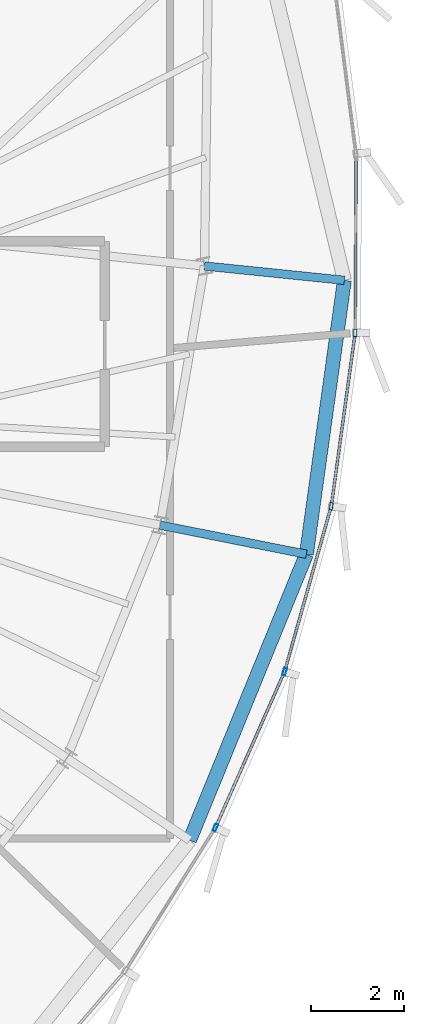
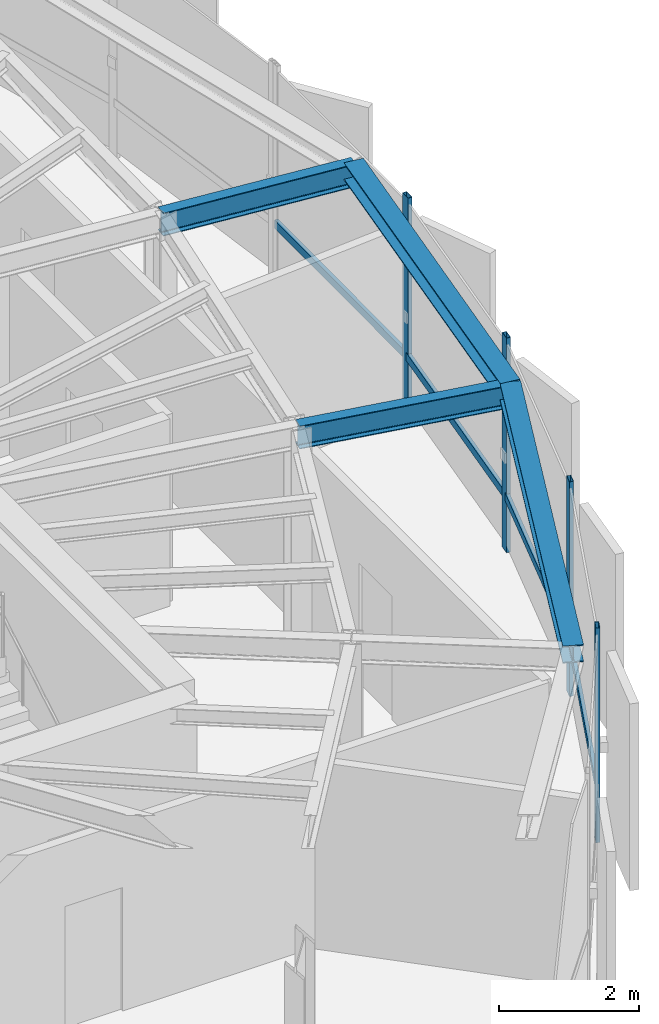
# One storey, part 12 of 26: 8 members, 4 beams, 1 element without a shape of its own.
"""IFC4 building model written with IfcOpenShell, lengths in metres."""

from ifc_helpers import new_model, si_unit, direction, frame, origin, origin_2d, place, context, subcontext, project, spatial, hollow_rectangle, i_section, extrude, source, transform, mapped, material, layer, layer_set, material_profile, profile_set, type_object, element, aggregate, save


model = new_model("IFC4")

# Units and contexts
model_context = context("Model", 3, precision=1e-05, world=origin(), true_north=direction((0.0, 1.0)))
body_context = subcontext(model_context, "Body", "Model", "MODEL_VIEW")
ifc_project = project(units=[si_unit("LENGTHUNIT", "METRE"), si_unit("AREAUNIT", "SQUARE_METRE"), si_unit("VOLUMEUNIT", "CUBIC_METRE"), si_unit("PLANEANGLEUNIT", "RADIAN"), si_unit("MASSUNIT", "GRAM", prefix="KILO"), si_unit("THERMODYNAMICTEMPERATUREUNIT", "KELVIN")], contexts=[model_context])

# Site, building, storey
site_placement = place(None, origin())
site = spatial("IfcSite", under=ifc_project, at=site_placement, CompositionType="ELEMENT")
building_placement = place(site_placement, origin())
building = spatial("IfcBuilding", under=site, at=building_placement, Name="Kethvar Cultural Tower", CompositionType="ELEMENT")
storey_placement = place(building_placement, frame((0.0, 0.0, 316.300048828125)))
storey = spatial("IfcBuildingStorey", under=building, at=storey_placement, Name="L84", CompositionType="ELEMENT", Elevation=316.300048828125)

# Beams
ifc_material_1 = material(Name="Steel S355J2", Category="steel")
ifc_material_profile_1 = material_profile(ifc_material_1, i_section(OverallWidth=0.179931640625, OverallDepth=0.39990234375, WebThickness=0.008544921875, FlangeThickness=0.013427734375, FilletRadius=0.02099609375, at=origin_2d()), Name="Steel S355J2 — IPE400")
ifc_profile_set_1 = profile_set([ifc_material_profile_1], Name="Steel S355J2 — IPE400")
beam_type_1 = type_object("IfcBeamType", Name="BM-IPE400", PredefinedType="BEAM", material=ifc_profile_set_1)
shared_shape_1 = source(origin(), body_context, "Body", "SweptSolid", [
    extrude(i_section(OverallWidth=0.179931640625, OverallDepth=0.39990234375, WebThickness=0.008544921875, FlangeThickness=0.013427734375, FilletRadius=0.02099609375, at=origin_2d()), origin(), (0.0, 0.0, 1.0), 3.199951171875),
])
beam_1_placement = place(storey_placement, frame((60.28369140625, 25.117919921875, 3.532958984375), z_axis=(0.980785550224, -0.195088965533, 0.0), x_axis=(0.195088965533, 0.980785550224, 0.0)))
element("IfcBeam", 1, at=beam_1_placement, inside=storey, type_object=beam_type_1, Name="L84 Perimeter Cantilever Beam RC-16", PredefinedType="BEAM", context=body_context, shape_type="MappedRepresentation", body=[
    mapped(shared_shape_1, transform((0.0, 0.0, 0.0), scale=1.0)),
])
shared_shape_2 = source(origin(), body_context, "Body", "SweptSolid", [
    extrude(i_section(OverallWidth=0.179931640625, OverallDepth=0.39990234375, WebThickness=0.008544921875, FlangeThickness=0.013427734375, FilletRadius=0.02099609375, at=origin_2d()), origin(), (0.0, 0.0, 1.0), 3.01416015625),
])
beam_2_placement = place(storey_placement, frame((61.237060546875, 30.671630859375, 3.532958984375), z_axis=(0.994778908863, -0.102053527534, 0.0), x_axis=(0.102053527534, 0.994778908863, 0.0)))
element("IfcBeam", 2, at=beam_2_placement, inside=storey, type_object=beam_type_1, Name="L84 Perimeter Cantilever Beam RC-01", PredefinedType="BEAM", context=body_context, shape_type="MappedRepresentation", body=[
    mapped(shared_shape_2, transform((0.0, 0.0, 0.0), scale=1.0)),
])
ifc_material_profile_2 = material_profile(ifc_material_1, i_section(OverallWidth=0.300048828125, OverallDepth=0.300048828125, WebThickness=0.010986328125, FlangeThickness=0.01904296875, FilletRadius=0.027099609375, at=origin_2d()), Name="Steel S355J2 — HEB300")
ifc_profile_set_2 = profile_set([ifc_material_profile_2], Name="Steel S355J2 — HEB300")
beam_type_2 = type_object("IfcBeamType", Name="BM-SP300", PredefinedType="SPANDREL", material=ifc_profile_set_2)
shared_shape_3 = source(origin(), body_context, "Body", "SweptSolid", [
    extrude(i_section(OverallWidth=0.300048828125, OverallDepth=0.300048828125, WebThickness=0.010986328125, FlangeThickness=0.01904296875, FilletRadius=0.027099609375, at=origin_2d()), origin(), (0.0, 0.0, 1.0), 6.619384765625),
])
beam_3_placement = place(storey_placement, frame((60.919677734375, 18.365478515625, 3.5830078125), z_axis=(0.378045391544, 0.925787060794, 0.0), x_axis=(-0.925787060794, 0.378045391544, 0.0)))
element("IfcBeam", 3, at=beam_3_placement, inside=storey, type_object=beam_type_2, Name="L84 Perimeter Spandrel Beam SP-15", PredefinedType="SPANDREL", context=body_context, shape_type="MappedRepresentation", body=[
    mapped(shared_shape_3, transform((0.0, 0.0, 0.0), scale=1.0)),
])
shared_shape_4 = source(origin(), body_context, "Body", "SweptSolid", [
    extrude(i_section(OverallWidth=0.300048828125, OverallDepth=0.300048828125, WebThickness=0.010986328125, FlangeThickness=0.01904296875, FilletRadius=0.027099609375, at=origin_2d()), origin(), (0.0, 0.0, 1.0), 5.926513671875),
])
beam_4_placement = place(storey_placement, frame((63.422119140625, 24.49365234375, 3.5830078125), z_axis=(0.137261881058, 0.990534792932, 0.0), x_axis=(-0.990534792932, 0.137261881058, 0.0)))
element("IfcBeam", 4, at=beam_4_placement, inside=storey, type_object=beam_type_2, Name="L84 Perimeter Spandrel Beam SP-16", PredefinedType="SPANDREL", context=body_context, shape_type="MappedRepresentation", body=[
    mapped(shared_shape_4, transform((0.0, 0.0, 0.0), scale=1.0)),
])

# Curtain wall, members
ifc_material_2 = material(Name="Aluminium 6063-T6", Category="aluminium")
ifc_layer = layer(ifc_material_2, 0.179931640625, Name="Aluminium 6063-T6", Category="aluminium")
ifc_layer_set = layer_set([ifc_layer], Name="Aluminium 6063-T6 (180 mm)")
curtain_wall_type = type_object("IfcCurtainWallType", Name="CW-SYS-06-CROWN", PredefinedType="NOTDEFINED", material=ifc_layer_set)
curtain_wall_placement = place(storey_placement, origin())
curtain_wall = element("IfcCurtainWall", 5, at=curtain_wall_placement, inside=storey, type_object=curtain_wall_type, Name="L84 Curtain Wall Run 05", PredefinedType="NOTDEFINED")
ifc_material_profile_3 = material_profile(ifc_material_2, hollow_rectangle(XDim=0.06494140625, YDim=0.159912109375, WallThickness=0.0048828125, at=origin_2d()), Name="Aluminium 6063-T6 — RHS160x65x5")
ifc_profile_set_3 = profile_set([ifc_material_profile_3], Name="Aluminium 6063-T6 — RHS160x65x5")
member_type_1 = type_object("IfcMemberType", Name="CW-SYS-06-CROWN-MUL", PredefinedType="MULLION", material=ifc_profile_set_3)
shared_shape_5 = source(origin(), body_context, "Body", "SweptSolid", [
    extrude(hollow_rectangle(XDim=0.06494140625, YDim=0.159912109375, WallThickness=0.0048828125, at=origin_2d()), origin(), (0.0, 0.0, 1.0), 3.73486328125),
])
member_1_placement = place(storey_placement, frame((61.47216796875, 18.6337890625, 0.0), z_axis=(0.0, 0.0, 1.0), x_axis=(-0.914239812568, 0.405173500016, 0.0)))
member_1 = element("IfcMember", 6, at=member_1_placement, type_object=member_type_1, Name="CW-L84-R05 Mullion 3", PredefinedType="MULLION", context=body_context, shape_type="MappedRepresentation", body=[
    mapped(shared_shape_5, transform((0.0, 0.0, 0.0), scale=1.0)),
])
member_2_placement = place(storey_placement, frame((62.9541015625, 21.97509765625, 0.0), z_axis=(0.0, 0.0, 1.0), x_axis=(-0.962545196595, 0.271121272703, 0.0)))
member_2 = element("IfcMember", 7, at=member_2_placement, type_object=member_type_1, Name="CW-L84-R05 Mullion 4", PredefinedType="MULLION", context=body_context, shape_type="MappedRepresentation", body=[
    mapped(shared_shape_5, transform((0.0, 0.0, 0.0), scale=1.0)),
])
member_3_placement = place(storey_placement, frame((63.95458984375, 25.522705078125, 0.0), z_axis=(0.0, 0.0, 1.0), x_axis=(-0.990633796, 0.136545531682, 0.0)))
member_3 = element("IfcMember", 8, at=member_3_placement, type_object=member_type_1, Name="CW-L84-R05 Mullion 5", PredefinedType="MULLION", context=body_context, shape_type="MappedRepresentation", body=[
    mapped(shared_shape_5, transform((0.0, 0.0, 0.0), scale=1.0)),
])
member_4_placement = place(storey_placement, frame((64.468017578125, 29.23876953125, 0.0), z_axis=(0.0, 0.0, 1.0), x_axis=(-0.999988313528, 0.004834543195, 0.0)))
member_4 = element("IfcMember", 9, at=member_4_placement, type_object=member_type_1, Name="CW-L84-R05 Mullion 6", PredefinedType="MULLION", context=body_context, shape_type="MappedRepresentation", body=[
    mapped(shared_shape_5, transform((0.0, 0.0, 0.0), scale=1.0)),
])
ifc_material_profile_4 = material_profile(ifc_material_2, hollow_rectangle(XDim=0.06005859375, YDim=0.139892578125, WallThickness=0.0048828125, at=origin_2d()), Name="Aluminium 6063-T6 — RHS140x60x5")
ifc_profile_set_4 = profile_set([ifc_material_profile_4], Name="Aluminium 6063-T6 — RHS140x60x5")
member_type_2 = type_object("IfcMemberType", Name="CW-SYS-06-CROWN-TRN", PredefinedType="USERDEFINED", material=ifc_profile_set_4)
shared_shape_6 = source(origin(), body_context, "Body", "SweptSolid", [
    extrude(hollow_rectangle(XDim=0.06005859375, YDim=0.139892578125, WallThickness=0.0048828125, at=origin_2d()), origin(), (0.0, 0.0, 1.0), 3.718017578125),
])
member_5_placement = place(storey_placement, frame((64.468017578125, 29.28564453125, 0.949951171875), z_axis=(0.004859092941, 0.999988194538, 0.0), x_axis=(-0.999988194538, 0.004859092941, 0.0)))
member_5 = element("IfcMember", 10, at=member_5_placement, type_object=member_type_2, Name="CW-L84-R05 Transom 6", ObjectType="TRANSOM", PredefinedType="USERDEFINED", context=body_context, shape_type="MappedRepresentation", body=[
    mapped(shared_shape_6, transform((0.0, 0.0, 0.0), scale=1.0)),
])
shared_shape_7 = source(origin(), body_context, "Body", "SweptSolid", [
    extrude(hollow_rectangle(XDim=0.06005859375, YDim=0.139892578125, WallThickness=0.0048828125, at=origin_2d()), origin(), (0.0, 0.0, 1.0), 3.673828125),
])
member_6_placement = place(storey_placement, frame((63.9609375, 25.56884765625, 0.949951171875), z_axis=(0.136563188376, 0.990631362102, 0.0), x_axis=(-0.990631362102, 0.136563188376, 0.0)))
member_6 = element("IfcMember", 11, at=member_6_placement, type_object=member_type_2, Name="CW-L84-R05 Transom 5", ObjectType="TRANSOM", PredefinedType="USERDEFINED", context=body_context, shape_type="MappedRepresentation", body=[
    mapped(shared_shape_7, transform((0.0, 0.0, 0.0), scale=1.0)),
])
shared_shape_8 = source(origin(), body_context, "Body", "SweptSolid", [
    extrude(hollow_rectangle(XDim=0.06005859375, YDim=0.139892578125, WallThickness=0.0048828125, at=origin_2d()), origin(), (0.0, 0.0, 1.0), 3.60888671875),
])
member_7_placement = place(storey_placement, frame((62.966796875, 22.02001953125, 0.949951171875), z_axis=(0.271145214887, 0.962538452449, 0.0), x_axis=(-0.962538452449, 0.271145214887, 0.0)))
member_7 = element("IfcMember", 12, at=member_7_placement, type_object=member_type_2, Name="CW-L84-R05 Transom 4", ObjectType="TRANSOM", PredefinedType="USERDEFINED", context=body_context, shape_type="MappedRepresentation", body=[
    mapped(shared_shape_8, transform((0.0, 0.0, 0.0), scale=1.0)),
])
shared_shape_9 = source(origin(), body_context, "Body", "SweptSolid", [
    extrude(hollow_rectangle(XDim=0.06005859375, YDim=0.139892578125, WallThickness=0.0048828125, at=origin_2d()), origin(), (0.0, 0.0, 1.0), 3.57861328125),
])
member_8_placement = place(storey_placement, frame((61.4912109375, 18.676513671875, 0.949951171875), z_axis=(0.405112743771, 0.914266736152, 0.0), x_axis=(-0.914266736152, 0.405112743771, 0.0)))
member_8 = element("IfcMember", 13, at=member_8_placement, type_object=member_type_2, Name="CW-L84-R05 Transom 3", ObjectType="TRANSOM", PredefinedType="USERDEFINED", context=body_context, shape_type="MappedRepresentation", body=[
    mapped(shared_shape_9, transform((0.0, 0.0, 0.0), scale=1.0)),
])
aggregate(curtain_wall, [member_1, member_2, member_3, member_4, member_8, member_7, member_6, member_5])

save(model, "model.ifc")
